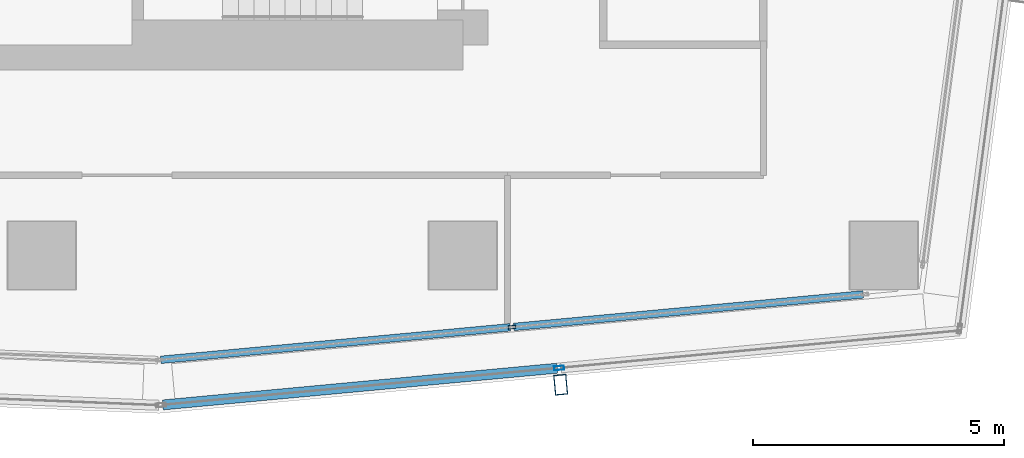
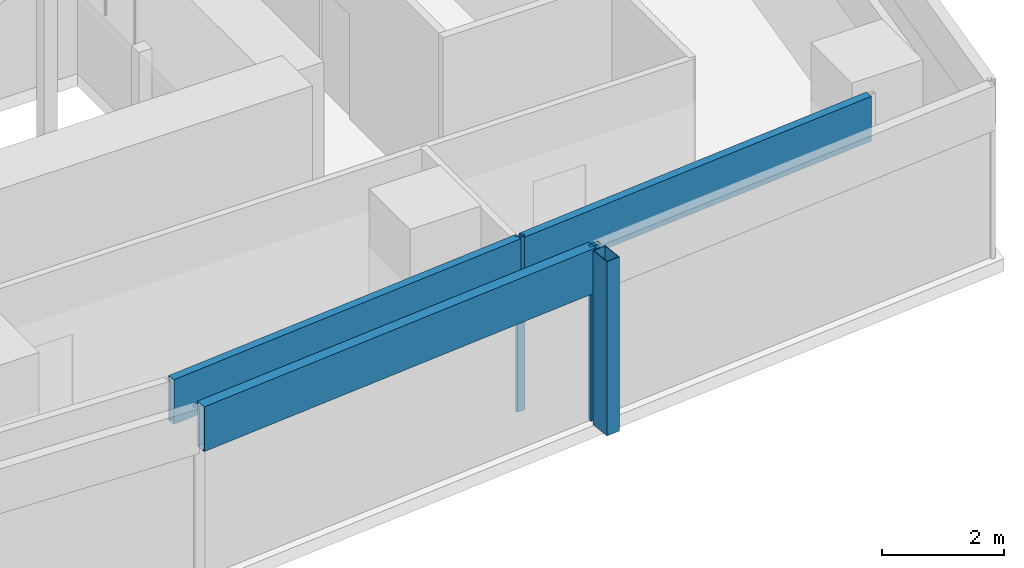
# One storey, part 11 of 38: 6 members, 2 elements without a shape of their own.
"""IFC4 building model written with IfcOpenShell, lengths in metres."""

from ifc_helpers import new_model, si_unit, direction, frame, origin, origin_2d, place, context, subcontext, project, spatial, hollow_rectangle, extrude, material, material_profile, profile_set, type_object, element, aggregate, save


model = new_model("IFC4")

# Units and contexts
model_context = context("Model", 3, precision=1e-05, world=origin(), true_north=direction((0.0, 1.0)))
body_context = subcontext(model_context, "Body", "Model", "MODEL_VIEW")
ifc_project = project(units=[si_unit("LENGTHUNIT", "METRE"), si_unit("AREAUNIT", "SQUARE_METRE"), si_unit("VOLUMEUNIT", "CUBIC_METRE"), si_unit("PLANEANGLEUNIT", "RADIAN"), si_unit("MASSUNIT", "GRAM", prefix="KILO")], contexts=[model_context])

# Site, building, storey
site_placement = place(None, origin())
site = spatial("IfcSite", under=ifc_project, at=site_placement, CompositionType="ELEMENT")
building_placement = place(site_placement, origin())
building = spatial("IfcBuilding", under=site, at=building_placement, Name="Rekha Terrace Tower", CompositionType="ELEMENT")
storey_placement = place(building_placement, frame((0.0, 0.0, 198.949951171875)))
storey = spatial("IfcBuildingStorey", under=building, at=storey_placement, Name="L50", CompositionType="ELEMENT", Elevation=198.949951171875)

# Curtain wall, member
ifc_material_1 = material(Name="Aluminium framing", Category="aluminium")
curtain_wall_type_1 = type_object("IfcCurtainWallType", Name="CW2 double skin outer glazing", PredefinedType="USERDEFINED", material=ifc_material_1)
curtain_wall_1_placement = place(storey_placement, origin())
curtain_wall_1 = element("IfcCurtainWall", 1, at=curtain_wall_1_placement, inside=storey, type_object=curtain_wall_type_1, Name="CW2 double skin outer glazing", ObjectType="DOUBLE SKIN OUTER GLAZING", PredefinedType="USERDEFINED")
ifc_material_2 = material(Name="Steel S355 with fluorocarbon finish", Category="steel")
ifc_material_profile_1 = material_profile(ifc_material_2, hollow_rectangle(XDim=0.25, YDim=0.39990234375, WallThickness=0.012451171875, at=origin_2d()), Name="RHS400x250x12.5")
ifc_profile_set_1 = profile_set([ifc_material_profile_1], Name="Steel S355 with fluorocarbon finish")
member_type_1 = type_object("IfcMemberType", Name="BL1 facade blade RHS 400 x 250", PredefinedType="USERDEFINED", material=ifc_profile_set_1)
member_1_placement = place(storey_placement, frame((52.35302734375, 14.22021484375, 0.0), z_axis=(0.0, 0.0, 1.0), x_axis=(0.995693203185, 0.092709466242, 0.0)))
member_1 = element("IfcMember", 2, at=member_1_placement, type_object=member_type_1, Name="Facade blade", ObjectType="FACADE BLADE", PredefinedType="USERDEFINED", context=body_context, shape_type="SweptSolid", body=[
    extrude(hollow_rectangle(XDim=0.25, YDim=0.39990234375, WallThickness=0.012451171875, at=origin_2d()), origin(), (0.0, 0.0, 1.0), 3.5),
])

# Curtain wall, members
curtain_wall_type_2 = type_object("IfcCurtainWallType", Name="CW1 double skin inner glazing", PredefinedType="USERDEFINED", material=ifc_material_1)
curtain_wall_2_placement = place(storey_placement, origin())
curtain_wall_2 = element("IfcCurtainWall", 3, at=curtain_wall_2_placement, inside=storey, type_object=curtain_wall_type_2, Name="CW1 double skin inner glazing", ObjectType="DOUBLE SKIN INNER GLAZING", PredefinedType="USERDEFINED")
ifc_material_3 = material(Name="Aluminium mullion section", Category="aluminium")
ifc_material_profile_2 = material_profile(ifc_material_3, hollow_rectangle(XDim=0.06494140625, YDim=0.14990234375, WallThickness=0.00390625, at=origin_2d()), Name="AL RHS 65x150")
ifc_profile_set_2 = profile_set([ifc_material_profile_2], Name="Aluminium mullion section")
member_type_2 = type_object("IfcMemberType", Name="CW1 mullion RHS 65 x 150", PredefinedType="MULLION", material=ifc_profile_set_2)
member_2_placement = place(storey_placement, frame((51.3818359375, 15.370361328125, 0.0), z_axis=(0.0, 0.0, 1.0), x_axis=(-0.092708869564, 0.995693258742, 0.0)))
member_2 = element("IfcMember", 4, at=member_2_placement, type_object=member_type_2, Name="CW1 mullion 2", PredefinedType="MULLION", context=body_context, shape_type="SweptSolid", body=[
    extrude(hollow_rectangle(XDim=0.06494140625, YDim=0.14990234375, WallThickness=0.00390625, at=origin_2d()), origin(), (0.0, 0.0, 1.0), 3.5),
])
ifc_material_4 = material(Name="Insulated aluminium spandrel box", Category="aluminium")
ifc_material_profile_3 = material_profile(ifc_material_4, hollow_rectangle(XDim=0.14990234375, YDim=0.89990234375, WallThickness=0.0029296875, at=origin_2d()), Name="AL SPANDREL BOX 150x900")
ifc_profile_set_3 = profile_set([ifc_material_profile_3], Name="Insulated aluminium spandrel box")
member_type_3 = type_object("IfcMemberType", Name="CW1 spandrel transom 150 x 900", PredefinedType="USERDEFINED", material=ifc_profile_set_3)
member_3_placement = place(storey_placement, frame((44.376708984375, 14.718017578125, 3.050048828125), z_axis=(0.995694259474, 0.092698121072, 0.0), x_axis=(-0.092698121072, 0.995694259474, 0.0)))
member_3 = element("IfcMember", 5, at=member_3_placement, type_object=member_type_3, Name="CW1 spandrel transom 1", ObjectType="TRANSOM", PredefinedType="USERDEFINED", context=body_context, shape_type="SweptSolid", body=[
    extrude(hollow_rectangle(XDim=0.14990234375, YDim=0.89990234375, WallThickness=0.0029296875, at=origin_2d()), origin(), (0.0, 0.0, 1.0), 7.003173828125),
])
member_4_placement = place(storey_placement, frame((51.414306640625, 15.373291015625, 3.050048828125), z_axis=(0.995694259474, 0.092698121072, 0.0), x_axis=(-0.092698121072, 0.995694259474, 0.0)))
member_4 = element("IfcMember", 6, at=member_4_placement, type_object=member_type_3, Name="CW1 spandrel transom 2", ObjectType="TRANSOM", PredefinedType="USERDEFINED", context=body_context, shape_type="SweptSolid", body=[
    extrude(hollow_rectangle(XDim=0.14990234375, YDim=0.89990234375, WallThickness=0.0029296875, at=origin_2d()), origin(), (0.0, 0.0, 1.0), 7.003173828125),
])
aggregate(curtain_wall_2, [member_2, member_3, member_4])

# Member
ifc_material_profile_4 = material_profile(ifc_material_3, hollow_rectangle(XDim=0.080078125, YDim=0.199951171875, WallThickness=0.00390625, at=origin_2d()), Name="AL RHS 80x200")
ifc_profile_set_4 = profile_set([ifc_material_profile_4], Name="Aluminium mullion section")
member_type_4 = type_object("IfcMemberType", Name="CW2 mullion RHS 80 x 200", PredefinedType="MULLION", material=ifc_profile_set_4)
member_5_placement = place(storey_placement, frame((52.322021484375, 14.553955078125, 0.0), z_axis=(0.0, 0.0, 1.0), x_axis=(-0.092708869512, 0.995693258747, 0.0)))
member_5 = element("IfcMember", 7, at=member_5_placement, type_object=member_type_4, Name="CW2 mullion 2", PredefinedType="MULLION", context=body_context, shape_type="SweptSolid", body=[
    extrude(hollow_rectangle(XDim=0.080078125, YDim=0.199951171875, WallThickness=0.00390625, at=origin_2d()), origin(), (0.0, 0.0, 1.0), 3.5),
])

ifc_material_profile_5 = material_profile(ifc_material_4, hollow_rectangle(XDim=0.199951171875, YDim=0.89990234375, WallThickness=0.0029296875, at=origin_2d()), Name="AL SPANDREL BOX 200x900")
ifc_profile_set_5 = profile_set([ifc_material_profile_5], Name="Insulated aluminium spandrel box")
member_type_5 = type_object("IfcMemberType", Name="CW2 spandrel transom 200 x 900", PredefinedType="USERDEFINED", material=ifc_profile_set_5)
member_6_placement = place(storey_placement, frame((44.41552734375, 13.817626953125, 3.050048828125), z_axis=(0.995690937161, 0.092733799963, 0.0), x_axis=(-0.092733799963, 0.995690937161, 0.0)))
member_6 = element("IfcMember", 8, at=member_6_placement, type_object=member_type_5, Name="CW2 spandrel transom 1", ObjectType="TRANSOM", PredefinedType="USERDEFINED", context=body_context, shape_type="SweptSolid", body=[
    extrude(hollow_rectangle(XDim=0.199951171875, YDim=0.89990234375, WallThickness=0.0029296875, at=origin_2d()), origin(), (0.0, 0.0, 1.0), 7.900634765625),
])

aggregate(curtain_wall_1, [member_5, member_6, member_1])

save(model, "model.ifc")
